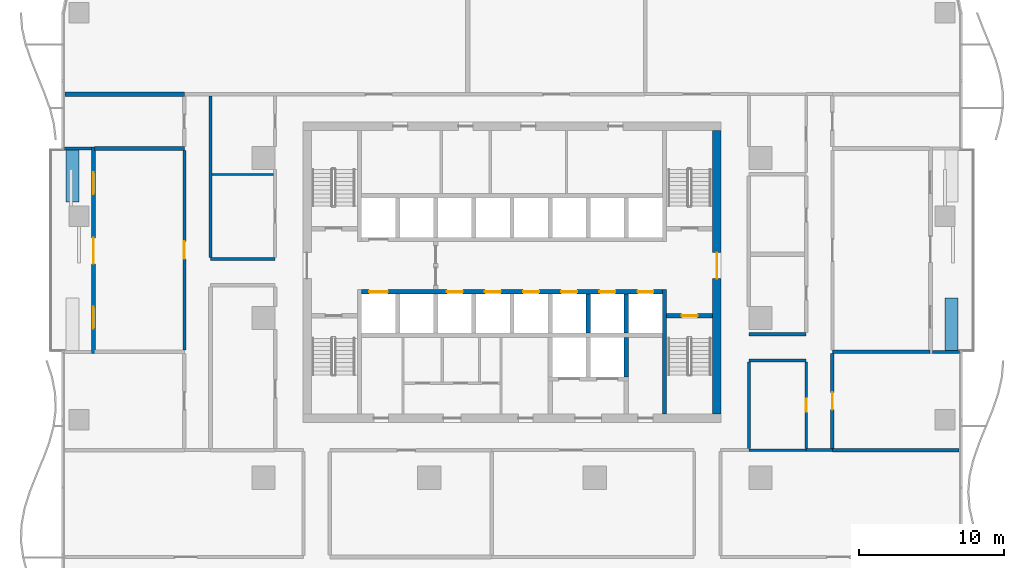
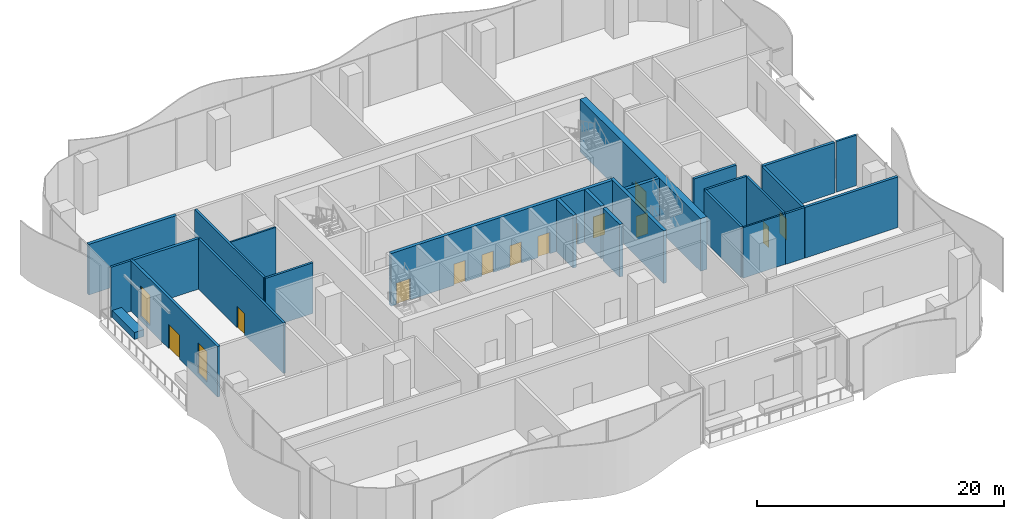
# One storey, part 9 of 20: 27 walls, 13 doors, 2 windows, 15 openings.
"""IFC4 building model written with IfcOpenShell, lengths in metres."""

from ifc_helpers import new_model, si_unit, direction, frame, frame_2d, origin, place, context, subcontext, project, spatial, rectangle, extrude, material, layer, layer_set, type_object, element, fill, save


model = new_model("IFC4")

# Units and contexts
model_context = context("Model", 3, precision=1e-05, world=origin(), true_north=direction((0.0, 1.0)))
body_context = subcontext(model_context, "Body", "Model", "MODEL_VIEW")
ifc_project = project(units=[si_unit("LENGTHUNIT", "METRE"), si_unit("AREAUNIT", "SQUARE_METRE"), si_unit("VOLUMEUNIT", "CUBIC_METRE"), si_unit("PLANEANGLEUNIT", "RADIAN"), si_unit("MASSUNIT", "GRAM", prefix="KILO")], contexts=[model_context])

# Site, building, storey
site_placement = place(None, origin())
site = spatial("IfcSite", under=ifc_project, at=site_placement, CompositionType="ELEMENT")
building_placement = place(site_placement, origin())
building = spatial("IfcBuilding", under=site, at=building_placement, Name="Mopane Tessera Tower", CompositionType="ELEMENT")
storey_placement = place(building_placement, frame((0.0, 0.0, 14.5)))
storey = spatial("IfcBuildingStorey", under=building, at=storey_placement, Name="L02", CompositionType="ELEMENT", Elevation=14.5)

# Wall, opening, door
ifc_material_1 = material(Name="Concrete C70/85", Category="concrete")
ifc_layer_1 = layer(ifc_material_1, 0.60009765625)
ifc_layer_set_1 = layer_set([ifc_layer_1], Name="Concrete C70/85")
wall_type_1 = type_object("IfcWallType", Name="Core shear wall 600 mm", PredefinedType="SHEAR", material=ifc_layer_set_1)
wall_1_placement = place(storey_placement, frame((14.10009765625, -6.60009765625, 0.0), z_axis=(0.0, 0.0, 1.0), x_axis=(0.0, 1.0, 0.0)))
wall_1 = element("IfcWall", 1, at=wall_1_placement, inside=storey, type_object=wall_type_1, Name="L02 Core wall east", PredefinedType="SHEAR", context=body_context, shape_type="SweptSolid", body=[
    extrude(rectangle(XDim=19.5, YDim=0.60009765625, at=frame_2d((9.75, 0.0))), origin(), (0.0, 0.0, 1.0), 5.199951171875),
])
opening_1_placement = place(wall_1_placement, frame((9.300048828125, 0.0, 0.0)))
opening_1 = element("IfcOpeningElement", 2, at=opening_1_placement, cuts=wall_1, Name="Opening SD2", PredefinedType="OPENING", context=body_context, shape_type="SweptSolid", body=[
    extrude(rectangle(XDim=1.800048828125, YDim=2.10009765625, at=frame_2d((0.89990234375, 1.050048828125))), frame((0.0, 0.31201171875, 0.0), z_axis=(0.0, -1.0, 0.0), x_axis=(1.0, 0.0, 0.0)), (0.0, 0.0, 1.0), 0.6240234375),
])
ifc_material_2 = material(Name="Steel fire door", Category="steel")
door_type_1 = type_object("IfcDoorType", Name="Core entrance double door 1800 x 2100", OperationType="DOUBLE_DOOR_SINGLE_SWING", PredefinedType="DOOR", material=ifc_material_2)
door_1_placement = place(opening_1_placement, origin())
door_1 = element("IfcDoor", 3, at=door_1_placement, inside=storey, type_object=door_type_1, Name="L02 Core entrance door east", OperationType="DOUBLE_DOOR_SINGLE_SWING", OverallHeight=2.10009765625, OverallWidth=1.800048828125, PredefinedType="DOOR", context=body_context, shape_type="SweptSolid", body=[
    extrude(rectangle(XDim=1.800048828125, YDim=2.10009765625, at=frame_2d((0.89990234375, 1.050048828125))), frame((0.0, 0.02490234375, 0.0), z_axis=(0.0, -1.0, 0.0), x_axis=(1.0, 0.0, 0.0)), (0.0, 0.0, 1.0), 0.050048828125),
])
fill(opening_1, door_1)

# Walls
ifc_material_3 = material(Name="Concrete C60/75", Category="concrete")
ifc_layer_2 = layer(ifc_material_3, 0.300048828125)
ifc_layer_set_2 = layer_set([ifc_layer_2], Name="Concrete C60/75")
wall_type_2 = type_object("IfcWallType", Name="Core spine wall 300 mm", PredefinedType="SHEAR", material=ifc_layer_set_2)
wall_2_placement = place(storey_placement, frame((10.5, -6.60009765625, 0.0), z_axis=(0.0, 0.0, 1.0), x_axis=(0.0, 1.0, 0.0)))
element("IfcWall", 4, at=wall_2_placement, inside=storey, type_object=wall_type_2, Name="L02 Core spine wall", PredefinedType="SHEAR", context=body_context, shape_type="SweptSolid", body=[
    extrude(rectangle(XDim=8.550048828125, YDim=0.300048828125, at=frame_2d((4.27490234375, 0.0))), origin(), (0.0, 0.0, 1.0), 5.199951171875),
])
ifc_material_4 = material(Name="Gypsum board on steel studs, two layers each face, mineral wool infill", Category="steel")
ifc_layer_3 = layer(ifc_material_4, 0.199951171875)
ifc_layer_set_3 = layer_set([ifc_layer_3], Name="Gypsum board on steel studs, two layers each face, mineral wool infill")
wall_type_3 = type_object("IfcWallType", Name="Gypsum board corridor wall 200, rated EI 60", PredefinedType="PARTITIONING", material=ifc_layer_set_3)
wall_3_placement = place(storey_placement, frame((20.25, -9.10009765625, 0.0), z_axis=(0.0, 0.0, 1.0), x_axis=(1.0, 0.0, 0.0)))
element("IfcWall", 5, at=wall_3_placement, inside=storey, type_object=wall_type_3, Name="Partition L02:012", PredefinedType="PARTITIONING", context=body_context, shape_type="SweptSolid", body=[
    extrude(rectangle(XDim=1.800048828125, YDim=0.199951171875, at=frame_2d((0.89990234375, 0.0))), origin(), (0.0, 0.0, 1.0), 5.0),
])
wall_4_placement = place(storey_placement, frame((16.300048828125, -2.925048828125, 0.0), z_axis=(0.0, 0.0, 1.0), x_axis=(1.0, 0.0, 0.0)))
element("IfcWall", 6, at=wall_4_placement, inside=storey, type_object=wall_type_3, Name="Partition L02:017", PredefinedType="PARTITIONING", context=body_context, shape_type="SweptSolid", body=[
    extrude(rectangle(XDim=3.949951171875, YDim=0.199951171875, at=frame_2d((1.97509765625, 0.0))), origin(), (0.0, 0.0, 1.0), 5.0),
])
wall_5_placement = place(storey_placement, frame((-20.75, 4.050048828125, 0.0), z_axis=(0.0, 0.0, 1.0), x_axis=(1.0, 0.0, 0.0)))
element("IfcWall", 7, at=wall_5_placement, inside=storey, type_object=wall_type_3, Name="Partition L02:022", PredefinedType="PARTITIONING", context=body_context, shape_type="SweptSolid", body=[
    extrude(rectangle(XDim=4.449951171875, YDim=0.199951171875, at=frame_2d((2.22509765625, 0.0))), origin(), (0.0, 0.0, 1.0), 5.0),
])

# Wall, opening, door
wall_6_placement = place(storey_placement, frame((-22.550048828125, -2.2099609375, 0.0), z_axis=(0.0, 0.0, 1.0), x_axis=(0.0, 1.0, 0.0)))
wall_6 = element("IfcWall", 8, at=wall_6_placement, inside=storey, type_object=wall_type_3, Name="Partition L02:034", PredefinedType="PARTITIONING", context=body_context, shape_type="SweptSolid", body=[
    extrude(rectangle(XDim=13.75, YDim=0.199951171875, at=frame_2d((6.875, 0.0))), origin(), (0.0, 0.0, 1.0), 5.0),
])
opening_2_placement = place(wall_6_placement, frame((6.27490234375, 0.0, 0.0)))
opening_2 = element("IfcOpeningElement", 9, at=opening_2_placement, cuts=wall_6, Name="Opening L02-22", PredefinedType="OPENING", context=body_context, shape_type="SweptSolid", body=[
    extrude(rectangle(XDim=1.199951171875, YDim=2.10009765625, at=frame_2d((0.60009765625, 1.050048828125))), frame((0.0, 0.112060546875, 0.0), z_axis=(0.0, -1.0, 0.0), x_axis=(1.0, 0.0, 0.0)), (0.0, 0.0, 1.0), 0.223876953125),
])
ifc_material_5 = material(Name="Timber veneered steel-framed fire door", Category="steel")
door_type_2 = type_object("IfcDoorType", Name="Fire door FD60 1200 x 2100", OperationType="SINGLE_SWING_LEFT", PredefinedType="DOOR", material=ifc_material_5)
door_2_placement = place(opening_2_placement, origin())
door_2 = element("IfcDoor", 10, at=door_2_placement, inside=storey, type_object=door_type_2, Name="Door L02-22", ObjectType="D15A", OperationType="SINGLE_SWING_LEFT", OverallHeight=2.10009765625, OverallWidth=1.199951171875, PredefinedType="DOOR", context=body_context, shape_type="SweptSolid", body=[
    extrude(rectangle(XDim=1.199951171875, YDim=2.10009765625, at=frame_2d((0.60009765625, 1.050048828125))), frame((0.0, 0.02490234375, 0.0), z_axis=(0.0, -1.0, 0.0), x_axis=(1.0, 0.0, 0.0)), (0.0, 0.0, 1.0), 0.050048828125),
])
fill(opening_2, door_2)

# Walls
wall_7_placement = place(storey_placement, frame((-20.75, 4.14990234375, 0.0), z_axis=(0.0, 0.0, 1.0), x_axis=(0.0, 1.0, 0.0)))
element("IfcWall", 11, at=wall_7_placement, inside=storey, type_object=wall_type_3, Name="Partition L02:037", PredefinedType="PARTITIONING", context=body_context, shape_type="SweptSolid", body=[
    extrude(rectangle(XDim=11.125, YDim=0.199951171875, at=frame_2d((5.5625, 0.0))), origin(), (0.0, 0.0, 1.0), 5.0),
])
wall_8_placement = place(storey_placement, frame((16.300048828125, -9.0, 0.0), z_axis=(0.0, 0.0, 1.0), x_axis=(0.0, 1.0, 0.0)))
element("IfcWall", 12, at=wall_8_placement, inside=storey, type_object=wall_type_3, Name="Partition L02:053", PredefinedType="PARTITIONING", context=body_context, shape_type="SweptSolid", body=[
    extrude(rectangle(XDim=5.97509765625, YDim=0.199951171875, at=frame_2d((2.987548828125, 0.0))), origin(), (0.0, 0.0, 1.0), 5.0),
])

# Wall, opening, door
wall_9_placement = place(storey_placement, frame((20.25, -9.0, 0.0), z_axis=(0.0, 0.0, 1.0), x_axis=(0.0, 1.0, 0.0)))
wall_9 = element("IfcWall", 13, at=wall_9_placement, inside=storey, type_object=wall_type_3, Name="Partition L02:056", PredefinedType="PARTITIONING", context=body_context, shape_type="SweptSolid", body=[
    extrude(rectangle(XDim=5.97509765625, YDim=0.199951171875, at=frame_2d((2.987548828125, 0.0))), origin(), (0.0, 0.0, 1.0), 5.0),
])
opening_3_placement = place(wall_9_placement, frame((2.53759765625, 0.0, 0.0)))
opening_3 = element("IfcOpeningElement", 14, at=opening_3_placement, cuts=wall_9, Name="Opening L02-19", PredefinedType="OPENING", context=body_context, shape_type="SweptSolid", body=[
    extrude(rectangle(XDim=0.89990234375, YDim=2.10009765625, at=frame_2d((0.449951171875, 1.050048828125))), frame((0.0, 0.112060546875, 0.0), z_axis=(0.0, -1.0, 0.0), x_axis=(1.0, 0.0, 0.0)), (0.0, 0.0, 1.0), 0.223876953125),
])
ifc_material_6 = material(Name="Timber veneered steel-framed fire door", Category="steel")
door_type_3 = type_object("IfcDoorType", Name="Fire door FD60 900 x 2100", OperationType="SINGLE_SWING_LEFT", PredefinedType="DOOR", material=ifc_material_6)
door_3_placement = place(opening_3_placement, origin())
door_3 = element("IfcDoor", 15, at=door_3_placement, inside=storey, type_object=door_type_3, Name="Door L02-19", ObjectType="D10A", OperationType="SINGLE_SWING_RIGHT", OverallHeight=2.10009765625, OverallWidth=0.89990234375, PredefinedType="DOOR", context=body_context, shape_type="SweptSolid", body=[
    extrude(rectangle(XDim=0.89990234375, YDim=2.10009765625, at=frame_2d((0.449951171875, 1.050048828125))), frame((0.0, 0.02490234375, 0.0), z_axis=(0.0, -1.0, 0.0), x_axis=(1.0, 0.0, 0.0)), (0.0, 0.0, 1.0), 0.050048828125),
])
fill(opening_3, door_3)

# Walls
ifc_material_7 = material(Name="Gypsum board on steel studs, mineral wool infill", Category="steel")
ifc_layer_4 = layer(ifc_material_7, 0.14990234375)
ifc_layer_set_4 = layer_set([ifc_layer_4], Name="Gypsum board on steel studs, mineral wool infill")
wall_type_4 = type_object("IfcWallType", Name="Gypsum board partition 150, rated EI 60", PredefinedType="PARTITIONING", material=ifc_layer_set_4)
wall_10_placement = place(storey_placement, frame((16.300048828125, -9.10009765625, 0.0), z_axis=(0.0, 0.0, 1.0), x_axis=(1.0, 0.0, 0.0)))
element("IfcWall", 16, at=wall_10_placement, inside=storey, type_object=wall_type_4, Name="Partition L02:007", PredefinedType="PARTITIONING", context=body_context, shape_type="SweptSolid", body=[
    extrude(rectangle(XDim=3.949951171875, YDim=0.14990234375, at=frame_2d((1.97509765625, 0.0))), origin(), (0.0, 0.0, 1.0), 5.0),
])
wall_11_placement = place(storey_placement, frame((-20.64990234375, 9.864990234375, 0.0), z_axis=(0.0, 0.0, 1.0), x_axis=(1.0, 0.0, 0.0)))
element("IfcWall", 17, at=wall_11_placement, inside=storey, type_object=wall_type_4, Name="Partition L02:024", PredefinedType="PARTITIONING", context=body_context, shape_type="SweptSolid", body=[
    extrude(rectangle(XDim=4.25, YDim=0.14990234375, at=frame_2d((2.125, 0.0))), origin(), (0.0, 0.0, 1.0), 5.0),
])

# Wall, opening, door
ifc_material_8 = material(Name="Concrete C50/60", Category="concrete")
ifc_layer_5 = layer(ifc_material_8, 0.300048828125)
ifc_layer_set_5 = layer_set([ifc_layer_5], Name="Concrete C50/60")
wall_type_5 = type_object("IfcWallType", Name="Lift and stair shaft wall 300 mm", PredefinedType="SOLIDWALL", material=ifc_layer_set_5)
wall_12_placement = place(storey_placement, frame((10.64990234375, 0.14990234375, 0.0), z_axis=(0.0, 0.0, 1.0), x_axis=(1.0, 0.0, 0.0)))
wall_12 = element("IfcWall", 18, at=wall_12_placement, inside=storey, type_object=wall_type_5, Name="L02 Stair enclosure wall", PredefinedType="SOLIDWALL", context=body_context, shape_type="SweptSolid", body=[
    extrude(rectangle(XDim=3.150146484375, YDim=0.300048828125, at=frame_2d((1.5751953125, 0.0))), origin(), (0.0, 0.0, 1.0), 5.199951171875),
])
opening_4_placement = place(wall_12_placement, frame((1.02490234375, 0.0, 0.0)))
opening_4 = element("IfcOpeningElement", 19, at=opening_4_placement, cuts=wall_12, Name="Opening SD1", PredefinedType="OPENING", context=body_context, shape_type="SweptSolid", body=[
    extrude(rectangle(XDim=1.10009765625, YDim=2.10009765625, at=frame_2d((0.550048828125, 1.050048828125))), frame((0.0, 0.162109375, 0.0), z_axis=(0.0, -1.0, 0.0), x_axis=(1.0, 0.0, 0.0)), (0.0, 0.0, 1.0), 0.323974609375),
])
ifc_material_9 = material(Name="Steel fire door", Category="steel")
door_type_4 = type_object("IfcDoorType", Name="Stair fire door 1100 x 2100", OperationType="SINGLE_SWING_LEFT", PredefinedType="DOOR", material=ifc_material_9)
door_4_placement = place(opening_4_placement, origin())
door_4 = element("IfcDoor", 20, at=door_4_placement, inside=storey, type_object=door_type_4, Name="L02 Stair door ST3", OperationType="SINGLE_SWING_RIGHT", OverallHeight=2.10009765625, OverallWidth=1.10009765625, PredefinedType="DOOR", context=body_context, shape_type="SweptSolid", body=[
    extrude(rectangle(XDim=1.10009765625, YDim=2.10009765625, at=frame_2d((0.550048828125, 1.050048828125))), frame((0.0, 0.02490234375, 0.0), z_axis=(0.0, -1.0, 0.0), x_axis=(1.0, 0.0, 0.0)), (0.0, 0.0, 1.0), 0.050048828125),
])
fill(opening_4, door_4)

# Wall, openings, doors
wall_13_placement = place(storey_placement, frame((-10.35009765625, 1.800048828125, 0.0), z_axis=(0.0, 0.0, 1.0), x_axis=(1.0, 0.0, 0.0)))
wall_13 = element("IfcWall", 21, at=wall_13_placement, inside=storey, type_object=wall_type_5, Name="L02 Lift shaft front wall", PredefinedType="SOLIDWALL", context=body_context, shape_type="SweptSolid", body=[
    extrude(rectangle(XDim=20.7001953125, YDim=0.300048828125, at=frame_2d((10.35009765625, 0.0))), origin(), (0.0, 0.0, 1.0), 5.199951171875),
])
opening_5_placement = place(wall_13_placement, frame((0.512451171875, 0.0, 0.0)))
opening_5 = element("IfcOpeningElement", 22, at=opening_5_placement, cuts=wall_13, Name="Opening LD2", PredefinedType="OPENING", context=body_context, shape_type="SweptSolid", body=[
    extrude(rectangle(XDim=1.300048828125, YDim=2.10009765625, at=frame_2d((0.64990234375, 1.050048828125))), frame((0.0, 0.162109375, 0.0), z_axis=(0.0, -1.0, 0.0), x_axis=(1.0, 0.0, 0.0)), (0.0, 0.0, 1.0), 0.323974609375),
])
opening_6_placement = place(wall_13_placement, frame((5.862548828125, 0.0, 0.0)))
opening_6 = element("IfcOpeningElement", 23, at=opening_6_placement, cuts=wall_13, Name="Opening LD", PredefinedType="OPENING", context=body_context, shape_type="SweptSolid", body=[
    extrude(rectangle(XDim=1.10009765625, YDim=2.10009765625, at=frame_2d((0.550048828125, 1.050048828125))), frame((0.0, 0.162109375, 0.0), z_axis=(0.0, -1.0, 0.0), x_axis=(1.0, 0.0, 0.0)), (0.0, 0.0, 1.0), 0.323974609375),
])
opening_7_placement = place(wall_13_placement, frame((8.487548828125, 0.0, 0.0)))
opening_7 = element("IfcOpeningElement", 24, at=opening_7_placement, cuts=wall_13, Name="Opening LD", PredefinedType="OPENING", context=body_context, shape_type="SweptSolid", body=[
    extrude(rectangle(XDim=1.10009765625, YDim=2.10009765625, at=frame_2d((0.550048828125, 1.050048828125))), frame((0.0, 0.162109375, 0.0), z_axis=(0.0, -1.0, 0.0), x_axis=(1.0, 0.0, 0.0)), (0.0, 0.0, 1.0), 0.323974609375),
])
opening_8_placement = place(wall_13_placement, frame((11.112548828125, 0.0, 0.0)))
opening_8 = element("IfcOpeningElement", 25, at=opening_8_placement, cuts=wall_13, Name="Opening LD", PredefinedType="OPENING", context=body_context, shape_type="SweptSolid", body=[
    extrude(rectangle(XDim=1.10009765625, YDim=2.10009765625, at=frame_2d((0.550048828125, 1.050048828125))), frame((0.0, 0.162109375, 0.0), z_axis=(0.0, -1.0, 0.0), x_axis=(1.0, 0.0, 0.0)), (0.0, 0.0, 1.0), 0.323974609375),
])
opening_9_placement = place(wall_13_placement, frame((13.737548828125, 0.0, 0.0)))
opening_9 = element("IfcOpeningElement", 26, at=opening_9_placement, cuts=wall_13, Name="Opening LD", PredefinedType="OPENING", context=body_context, shape_type="SweptSolid", body=[
    extrude(rectangle(XDim=1.10009765625, YDim=2.10009765625, at=frame_2d((0.550048828125, 1.050048828125))), frame((0.0, 0.162109375, 0.0), z_axis=(0.0, -1.0, 0.0), x_axis=(1.0, 0.0, 0.0)), (0.0, 0.0, 1.0), 0.323974609375),
])
opening_10_placement = place(wall_13_placement, frame((16.362548828125, 0.0, 0.0)))
opening_10 = element("IfcOpeningElement", 27, at=opening_10_placement, cuts=wall_13, Name="Opening LD", PredefinedType="OPENING", context=body_context, shape_type="SweptSolid", body=[
    extrude(rectangle(XDim=1.10009765625, YDim=2.10009765625, at=frame_2d((0.550048828125, 1.050048828125))), frame((0.0, 0.162109375, 0.0), z_axis=(0.0, -1.0, 0.0), x_axis=(1.0, 0.0, 0.0)), (0.0, 0.0, 1.0), 0.323974609375),
])
opening_11_placement = place(wall_13_placement, frame((18.987548828125, 0.0, 0.0)))
opening_11 = element("IfcOpeningElement", 28, at=opening_11_placement, cuts=wall_13, Name="Opening LD", PredefinedType="OPENING", context=body_context, shape_type="SweptSolid", body=[
    extrude(rectangle(XDim=1.10009765625, YDim=2.10009765625, at=frame_2d((0.550048828125, 1.050048828125))), frame((0.0, 0.162109375, 0.0), z_axis=(0.0, -1.0, 0.0), x_axis=(1.0, 0.0, 0.0)), (0.0, 0.0, 1.0), 0.323974609375),
])
ifc_material_10 = material(Name="Stainless steel sliding door", Category="steel")
door_type_5 = type_object("IfcDoorType", Name="Fire-fighting lift landing door 1300 x 2100", OperationType="DOUBLE_DOOR_SLIDING", PredefinedType="DOOR", material=ifc_material_10)
door_5_placement = place(opening_5_placement, origin())
door_5 = element("IfcDoor", 29, at=door_5_placement, inside=storey, type_object=door_type_5, Name="L02 Lift landing door FF1", OperationType="DOUBLE_DOOR_SLIDING", OverallHeight=2.10009765625, OverallWidth=1.300048828125, PredefinedType="DOOR", context=body_context, shape_type="SweptSolid", body=[
    extrude(rectangle(XDim=1.300048828125, YDim=2.10009765625, at=frame_2d((0.64990234375, 1.050048828125))), frame((0.0, 0.02490234375, 0.0), z_axis=(0.0, -1.0, 0.0), x_axis=(1.0, 0.0, 0.0)), (0.0, 0.0, 1.0), 0.050048828125),
])
fill(opening_5, door_5)
ifc_material_11 = material(Name="Stainless steel sliding door", Category="steel")
door_type_6 = type_object("IfcDoorType", Name="Lift landing door 1100 x 2100", OperationType="DOUBLE_DOOR_SLIDING", PredefinedType="DOOR", material=ifc_material_11)
door_6_placement = place(opening_6_placement, origin())
door_6 = element("IfcDoor", 30, at=door_6_placement, inside=storey, type_object=door_type_6, Name="L02 Lift landing door LR1", OperationType="DOUBLE_DOOR_SLIDING", OverallHeight=2.10009765625, OverallWidth=1.10009765625, PredefinedType="DOOR", context=body_context, shape_type="SweptSolid", body=[
    extrude(rectangle(XDim=1.10009765625, YDim=2.10009765625, at=frame_2d((0.550048828125, 1.050048828125))), frame((0.0, 0.02490234375, 0.0), z_axis=(0.0, -1.0, 0.0), x_axis=(1.0, 0.0, 0.0)), (0.0, 0.0, 1.0), 0.050048828125),
])
fill(opening_6, door_6)
door_7_placement = place(opening_7_placement, origin())
door_7 = element("IfcDoor", 31, at=door_7_placement, inside=storey, type_object=door_type_6, Name="L02 Lift landing door LR2", OperationType="DOUBLE_DOOR_SLIDING", OverallHeight=2.10009765625, OverallWidth=1.10009765625, PredefinedType="DOOR", context=body_context, shape_type="SweptSolid", body=[
    extrude(rectangle(XDim=1.10009765625, YDim=2.10009765625, at=frame_2d((0.550048828125, 1.050048828125))), frame((0.0, 0.02490234375, 0.0), z_axis=(0.0, -1.0, 0.0), x_axis=(1.0, 0.0, 0.0)), (0.0, 0.0, 1.0), 0.050048828125),
])
fill(opening_7, door_7)
door_8_placement = place(opening_8_placement, origin())
door_8 = element("IfcDoor", 32, at=door_8_placement, inside=storey, type_object=door_type_6, Name="L02 Lift landing door LR3", OperationType="DOUBLE_DOOR_SLIDING", OverallHeight=2.10009765625, OverallWidth=1.10009765625, PredefinedType="DOOR", context=body_context, shape_type="SweptSolid", body=[
    extrude(rectangle(XDim=1.10009765625, YDim=2.10009765625, at=frame_2d((0.550048828125, 1.050048828125))), frame((0.0, 0.02490234375, 0.0), z_axis=(0.0, -1.0, 0.0), x_axis=(1.0, 0.0, 0.0)), (0.0, 0.0, 1.0), 0.050048828125),
])
fill(opening_8, door_8)
door_9_placement = place(opening_9_placement, origin())
door_9 = element("IfcDoor", 33, at=door_9_placement, inside=storey, type_object=door_type_6, Name="L02 Lift landing door LR4", OperationType="DOUBLE_DOOR_SLIDING", OverallHeight=2.10009765625, OverallWidth=1.10009765625, PredefinedType="DOOR", context=body_context, shape_type="SweptSolid", body=[
    extrude(rectangle(XDim=1.10009765625, YDim=2.10009765625, at=frame_2d((0.550048828125, 1.050048828125))), frame((0.0, 0.02490234375, 0.0), z_axis=(0.0, -1.0, 0.0), x_axis=(1.0, 0.0, 0.0)), (0.0, 0.0, 1.0), 0.050048828125),
])
fill(opening_9, door_9)
door_10_placement = place(opening_10_placement, origin())
door_10 = element("IfcDoor", 34, at=door_10_placement, inside=storey, type_object=door_type_6, Name="L02 Lift landing door LR5", OperationType="DOUBLE_DOOR_SLIDING", OverallHeight=2.10009765625, OverallWidth=1.10009765625, PredefinedType="DOOR", context=body_context, shape_type="SweptSolid", body=[
    extrude(rectangle(XDim=1.10009765625, YDim=2.10009765625, at=frame_2d((0.550048828125, 1.050048828125))), frame((0.0, 0.02490234375, 0.0), z_axis=(0.0, -1.0, 0.0), x_axis=(1.0, 0.0, 0.0)), (0.0, 0.0, 1.0), 0.050048828125),
])
fill(opening_10, door_10)
door_11_placement = place(opening_11_placement, origin())
door_11 = element("IfcDoor", 35, at=door_11_placement, inside=storey, type_object=door_type_6, Name="L02 Lift landing door LR6", OperationType="DOUBLE_DOOR_SLIDING", OverallHeight=2.10009765625, OverallWidth=1.10009765625, PredefinedType="DOOR", context=body_context, shape_type="SweptSolid", body=[
    extrude(rectangle(XDim=1.10009765625, YDim=2.10009765625, at=frame_2d((0.550048828125, 1.050048828125))), frame((0.0, 0.02490234375, 0.0), z_axis=(0.0, -1.0, 0.0), x_axis=(1.0, 0.0, 0.0)), (0.0, 0.0, 1.0), 0.050048828125),
])
fill(opening_11, door_11)

# Walls
for number, where, z_axis, x_axis, name in (
    (36, (5.25, -1.050048828125, 0.0), (0.0, 0.0, 1.0), (0.0, 1.0, 0.0), "L02 Lift shaft wall"),
    (37, (7.875, -1.050048828125, 0.0), (0.0, 0.0, 1.0), (0.0, 1.0, 0.0), "L02 Lift shaft wall"),
    (38, (7.875, -4.050048828125, 0.0), (0.0, 0.0, 1.0), (0.0, 1.0, 0.0), "L02 Lift shaft wall"),
):
    element("IfcWall", number, at=place(storey_placement, frame(where, z_axis=z_axis, x_axis=x_axis)), inside=storey, type_object=wall_type_5, Name=name, PredefinedType="SOLIDWALL", context=body_context, shape_type="SweptSolid", body=[
        extrude(rectangle(XDim=2.699951171875, YDim=0.300048828125, at=frame_2d((1.35009765625, 0.0))), origin(), (0.0, 0.0, 1.0), 5.199951171875),
    ])
ifc_material_12 = material(Name="Reinforced concrete C32/40 with waterproofing", Category="concrete")
ifc_layer_6 = layer(ifc_material_12, 0.89990234375)
ifc_layer_set_6 = layer_set([ifc_layer_6], Name="Reinforced concrete C32/40 with waterproofing")
wall_type_6 = type_object("IfcWallType", Name="Planter trough 3600 x 900", PredefinedType="STANDARD", material=ifc_layer_set_6)
for number, where, z_axis, x_axis, name in (
    (39, (30.25, -2.2333984375, 0.0), (0.0, 0.0, 1.0), (0.0, 1.0, 0.0), "e:nw:L02:N2:pl0"),
    (40, (-30.25, 11.566650390625, 0.0), (0.0, 0.0, 1.0), (0.0, -1.0, 0.0), "e:nw:L02:N3:pl0"),
):
    element("IfcWall", number, at=place(storey_placement, frame(where, z_axis=z_axis, x_axis=x_axis)), inside=storey, type_object=wall_type_6, Name=name, PredefinedType="STANDARD", context=body_context, shape_type="SweptSolid", body=[
        extrude(rectangle(XDim=3.60009765625, YDim=0.89990234375, at=frame_2d((1.800048828125, 0.0))), origin(), (0.0, 0.0, 1.0), 0.699951171875),
    ])
ifc_material_13 = material(Name="Plastered concrete blockwork C20/25", Category="masonry")
ifc_layer_7 = layer(ifc_material_13, 0.300048828125)
ifc_layer_set_7 = layer_set([ifc_layer_7], Name="Plastered concrete blockwork C20/25")
wall_type_7 = type_object("IfcWallType", Name="Plastered blockwork separation wall 300, rated EI 120", PredefinedType="PARTITIONING", material=ifc_layer_set_7)
wall_14_placement = place(storey_placement, frame((-30.75, 15.39990234375, 0.0), z_axis=(0.0, 0.0, 1.0), x_axis=(1.0, 0.0, 0.0)))
element("IfcWall", 41, at=wall_14_placement, inside=storey, type_object=wall_type_7, Name="Partition L02:033", PredefinedType="PARTITIONING", context=body_context, shape_type="SweptSolid", body=[
    extrude(rectangle(XDim=8.199951171875, YDim=0.300048828125, at=frame_2d((4.10009765625, 0.0))), origin(), (0.0, 0.0, 1.0), 5.0),
])
ifc_material_14 = material(Name="Plastered concrete blockwork C20/25", Category="masonry")
ifc_layer_8 = layer(ifc_material_14, 0.25)
ifc_layer_set_8 = layer_set([ifc_layer_8], Name="Plastered concrete blockwork C20/25")
wall_type_8 = type_object("IfcWallType", Name="Plastered blockwork wall 250, rated EI 120", PredefinedType="PARTITIONING", material=ifc_layer_set_8)
wall_15_placement = place(storey_placement, frame((22.050048828125, -9.10009765625, 0.0), z_axis=(0.0, 0.0, 1.0), x_axis=(1.0, 0.0, 0.0)))
element("IfcWall", 42, at=wall_15_placement, inside=storey, type_object=wall_type_8, Name="Partition L02:016", PredefinedType="PARTITIONING", context=body_context, shape_type="SweptSolid", body=[
    extrude(rectangle(XDim=8.699951171875, YDim=0.25, at=frame_2d((4.35009765625, 0.0))), origin(), (0.0, 0.0, 1.0), 5.0),
])
wall_16_placement = place(storey_placement, frame((22.050048828125, -2.3349609375, 0.0), z_axis=(0.0, 0.0, 1.0), x_axis=(1.0, 0.0, 0.0)))
element("IfcWall", 43, at=wall_16_placement, inside=storey, type_object=wall_type_8, Name="Partition L02:019", PredefinedType="PARTITIONING", context=body_context, shape_type="SweptSolid", body=[
    extrude(rectangle(XDim=6.699951171875, YDim=0.25, at=frame_2d((3.35009765625, 0.0))), origin(), (0.0, 0.0, 1.0), 5.0),
])
wall_17_placement = place(storey_placement, frame((16.300048828125, -1.125, 0.0), z_axis=(0.0, 0.0, 1.0), x_axis=(1.0, 0.0, 0.0)))
element("IfcWall", 44, at=wall_17_placement, inside=storey, type_object=wall_type_8, Name="Partition L02:020", PredefinedType="PARTITIONING", context=body_context, shape_type="SweptSolid", body=[
    extrude(rectangle(XDim=3.949951171875, YDim=0.25, at=frame_2d((1.97509765625, 0.0))), origin(), (0.0, 0.0, 1.0), 5.0),
])
wall_18_placement = place(storey_placement, frame((-28.75, 11.6650390625, 0.0), z_axis=(0.0, 0.0, 1.0), x_axis=(1.0, 0.0, 0.0)))
element("IfcWall", 45, at=wall_18_placement, inside=storey, type_object=wall_type_8, Name="Partition L02:026", PredefinedType="PARTITIONING", context=body_context, shape_type="SweptSolid", body=[
    extrude(rectangle(XDim=6.199951171875, YDim=0.25, at=frame_2d((3.10009765625, 0.0))), origin(), (0.0, 0.0, 1.0), 5.0),
])

# Wall, opening, door
wall_19_placement = place(storey_placement, frame((22.050048828125, -8.97509765625, 0.0), z_axis=(0.0, 0.0, 1.0), x_axis=(0.0, 1.0, 0.0)))
wall_19 = element("IfcWall", 46, at=wall_19_placement, inside=storey, type_object=wall_type_8, Name="Partition L02:060", PredefinedType="PARTITIONING", context=body_context, shape_type="SweptSolid", body=[
    extrude(rectangle(XDim=6.51513671875, YDim=0.25, at=frame_2d((3.257568359375, 0.0))), origin(), (0.0, 0.0, 1.0), 5.0),
])
opening_12_placement = place(wall_19_placement, frame((2.657470703125, 0.0, 0.0)))
opening_12 = element("IfcOpeningElement", 47, at=opening_12_placement, cuts=wall_19, Name="Opening L02-04", PredefinedType="OPENING", context=body_context, shape_type="SweptSolid", body=[
    extrude(rectangle(XDim=1.199951171875, YDim=2.10009765625, at=frame_2d((0.60009765625, 1.050048828125))), frame((0.0, 0.136962890625, 0.0), z_axis=(0.0, -1.0, 0.0), x_axis=(1.0, 0.0, 0.0)), (0.0, 0.0, 1.0), 0.27392578125),
])
ifc_material_15 = material(Name="Timber veneered steel-framed fire door", Category="steel")
door_type_7 = type_object("IfcDoorType", Name="Fire door FD120 1200 x 2100", OperationType="SINGLE_SWING_LEFT", PredefinedType="DOOR", material=ifc_material_15)
door_12_placement = place(opening_12_placement, origin())
door_12 = element("IfcDoor", 48, at=door_12_placement, inside=storey, type_object=door_type_7, Name="Door L02-04", ObjectType="D15B", OperationType="SINGLE_SWING_LEFT", OverallHeight=2.10009765625, OverallWidth=1.199951171875, PredefinedType="DOOR", context=body_context, shape_type="SweptSolid", body=[
    extrude(rectangle(XDim=1.199951171875, YDim=2.10009765625, at=frame_2d((0.60009765625, 1.050048828125))), frame((0.0, 0.02490234375, 0.0), z_axis=(0.0, -1.0, 0.0), x_axis=(1.0, 0.0, 0.0)), (0.0, 0.0, 1.0), 0.050048828125),
])
fill(opening_12, door_12)

# Walls
ifc_material_16 = material(Name="Blockwork with glazed tile facing", Category="masonry")
ifc_layer_9 = layer(ifc_material_16, 0.199951171875)
ifc_layer_set_9 = layer_set([ifc_layer_9], Name="Blockwork with glazed tile facing")
wall_type_9 = type_object("IfcWallType", Name="Terrace cheek wall 200", PredefinedType="STANDARD", material=ifc_layer_set_9)
for number, where, z_axis, x_axis, name in (
    (49, (30.800048828125, -2.333251953125, 0.0), (0.0, 0.0, 1.0), (-1.0, 0.0, 0.0), "e:nw:L02:N2:cheeka"),
    (50, (-30.800048828125, 11.666748046875, 0.0), (0.0, 0.0, 1.0), (1.0, 0.0, 0.0), "e:nw:L02:N3:cheeka"),
):
    element("IfcWall", number, at=place(storey_placement, frame(where, z_axis=z_axis, x_axis=x_axis)), inside=storey, type_object=wall_type_9, Name=name, PredefinedType="STANDARD", context=body_context, shape_type="SweptSolid", body=[
        extrude(rectangle(XDim=1.875, YDim=0.199951171875, at=frame_2d((0.9375, 0.0))), origin(), (0.0, 0.0, 1.0), 5.0),
    ])

# Wall, openings, windows, door
ifc_material_17 = material(Name="Blockwork with turquoise glazed tile facing", Category="masonry")
ifc_layer_10 = layer(ifc_material_17, 0.25)
ifc_layer_set_10 = layer_set([ifc_layer_10], Name="Blockwork with turquoise glazed tile facing")
wall_type_10 = type_object("IfcWallType", Name="Tile-clad external wall 250, turquoise", PredefinedType="STANDARD", material=ifc_layer_set_10)
wall_20_placement = place(storey_placement, frame((-28.800048828125, 11.7666015625, 0.0), z_axis=(0.0, 0.0, 1.0), x_axis=(0.0, -1.0, 0.0)))
wall_20 = element("IfcWall", 51, at=wall_20_placement, inside=storey, type_object=wall_type_10, Name="e:nw:L02:N3:back", PredefinedType="STANDARD", context=body_context, shape_type="SweptSolid", body=[
    extrude(rectangle(XDim=14.199951171875, YDim=0.25, at=frame_2d((7.10009765625, 0.0))), origin(), (0.0, 0.0, 1.0), 5.0),
])
opening_13_placement = place(wall_20_placement, frame((1.75, 0.0, 0.449951171875)))
opening_13 = element("IfcOpeningElement", 52, at=opening_13_placement, cuts=wall_20, Name="Opening NW023A", PredefinedType="OPENING", context=body_context, shape_type="SweptSolid", body=[
    extrude(rectangle(XDim=1.5, YDim=3.0, at=frame_2d((0.75, 1.5))), frame((0.0, 0.136962890625, 0.0), z_axis=(0.0, -1.0, 0.0), x_axis=(1.0, 0.0, 0.0)), (0.0, 0.0, 1.0), 0.27392578125),
])
opening_14_placement = place(wall_20_placement, frame((6.25, 0.0, 0.0)))
opening_14 = element("IfcOpeningElement", 53, at=opening_14_placement, cuts=wall_20, Name="Opening ND023", PredefinedType="OPENING", context=body_context, shape_type="SweptSolid", body=[
    extrude(rectangle(XDim=1.800048828125, YDim=2.39990234375, at=frame_2d((0.89990234375, 1.199951171875))), frame((0.0, 0.136962890625, 0.0), z_axis=(0.0, -1.0, 0.0), x_axis=(1.0, 0.0, 0.0)), (0.0, 0.0, 1.0), 0.27392578125),
])
opening_15_placement = place(wall_20_placement, frame((11.0, 0.0, 0.449951171875)))
opening_15 = element("IfcOpeningElement", 54, at=opening_15_placement, cuts=wall_20, Name="Opening NW023B", PredefinedType="OPENING", context=body_context, shape_type="SweptSolid", body=[
    extrude(rectangle(XDim=1.5, YDim=3.0, at=frame_2d((0.75, 1.5))), frame((0.0, 0.136962890625, 0.0), z_axis=(0.0, -1.0, 0.0), x_axis=(1.0, 0.0, 0.0)), (0.0, 0.0, 1.0), 0.27392578125),
])
ifc_material_18 = material(Name="Clear laminated glass", Category="glass")
window_type = type_object("IfcWindowType", Name="Fixed window 1500 x 3000", PartitioningType="SINGLE_PANEL", PredefinedType="WINDOW", material=ifc_material_18)
window_1_placement = place(opening_13_placement, origin())
window_1 = element("IfcWindow", 55, at=window_1_placement, inside=storey, type_object=window_type, Name="e:nw:L02:N3:win0", OverallHeight=3.0, OverallWidth=1.5, PartitioningType="SINGLE_PANEL", PredefinedType="WINDOW", context=body_context, shape_type="SweptSolid", body=[
    extrude(rectangle(XDim=1.5, YDim=3.0, at=frame_2d((0.75, 1.5))), frame((0.0, 0.030029296875, 0.0), z_axis=(0.0, -1.0, 0.0), x_axis=(1.0, 0.0, 0.0)), (0.0, 0.0, 1.0), 0.06005859375),
])
fill(opening_13, window_1)
window_2_placement = place(opening_15_placement, origin())
window_2 = element("IfcWindow", 56, at=window_2_placement, inside=storey, type_object=window_type, Name="e:nw:L02:N3:win2", OverallHeight=3.0, OverallWidth=1.5, PartitioningType="SINGLE_PANEL", PredefinedType="WINDOW", context=body_context, shape_type="SweptSolid", body=[
    extrude(rectangle(XDim=1.5, YDim=3.0, at=frame_2d((0.75, 1.5))), frame((0.0, 0.030029296875, 0.0), z_axis=(0.0, -1.0, 0.0), x_axis=(1.0, 0.0, 0.0)), (0.0, 0.0, 1.0), 0.06005859375),
])
fill(opening_15, window_2)
ifc_material_19 = material(Name="Aluminium and clear glass", Category="aluminium")
door_type_8 = type_object("IfcDoorType", Name="Terrace double door 1800 x 2400", OperationType="DOUBLE_DOOR_SINGLE_SWING", PredefinedType="DOOR", material=ifc_material_19)
door_13_placement = place(opening_14_placement, origin())
door_13 = element("IfcDoor", 57, at=door_13_placement, inside=storey, type_object=door_type_8, Name="e:nw:L02:N3:door", ObjectType="D1", OperationType="DOUBLE_DOOR_SINGLE_SWING", OverallHeight=2.39990234375, OverallWidth=1.800048828125, PredefinedType="DOOR", context=body_context, shape_type="SweptSolid", body=[
    extrude(rectangle(XDim=1.800048828125, YDim=2.39990234375, at=frame_2d((0.89990234375, 1.199951171875))), frame((0.0, 0.02490234375, 0.0), z_axis=(0.0, -1.0, 0.0), x_axis=(1.0, 0.0, 0.0)), (0.0, 0.0, 1.0), 0.050048828125),
])
fill(opening_14, door_13)

save(model, "model.ifc")
